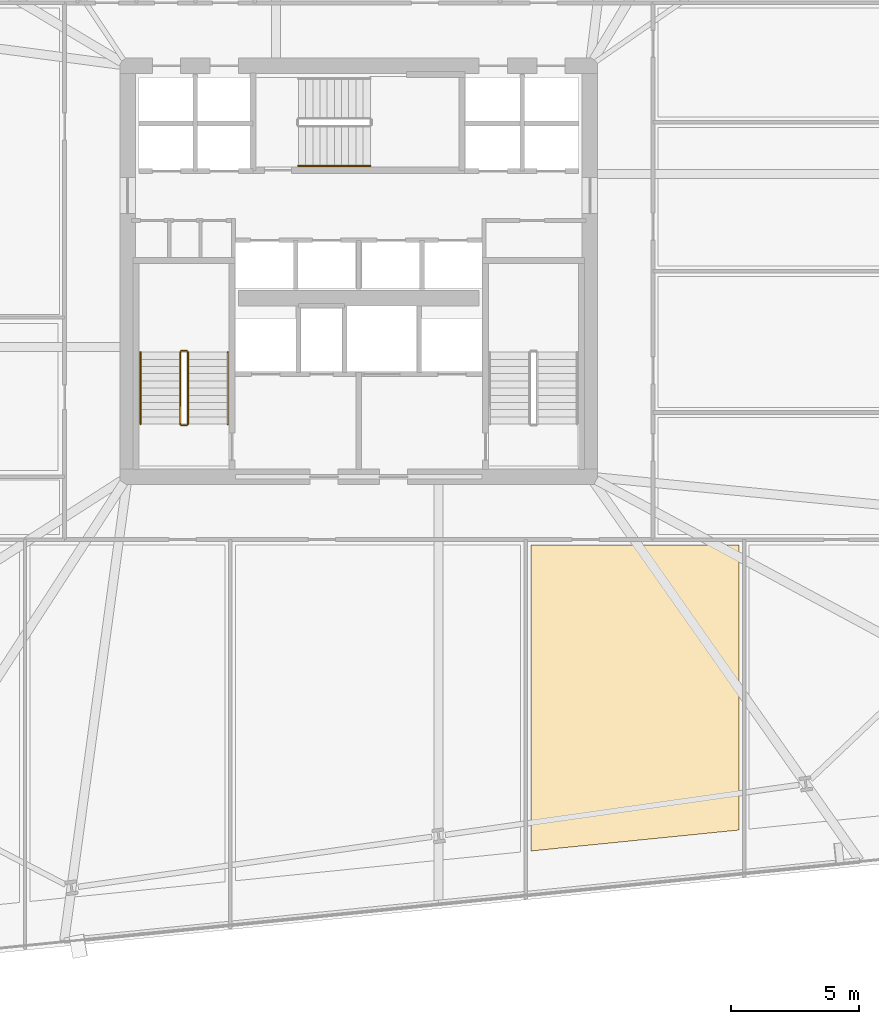
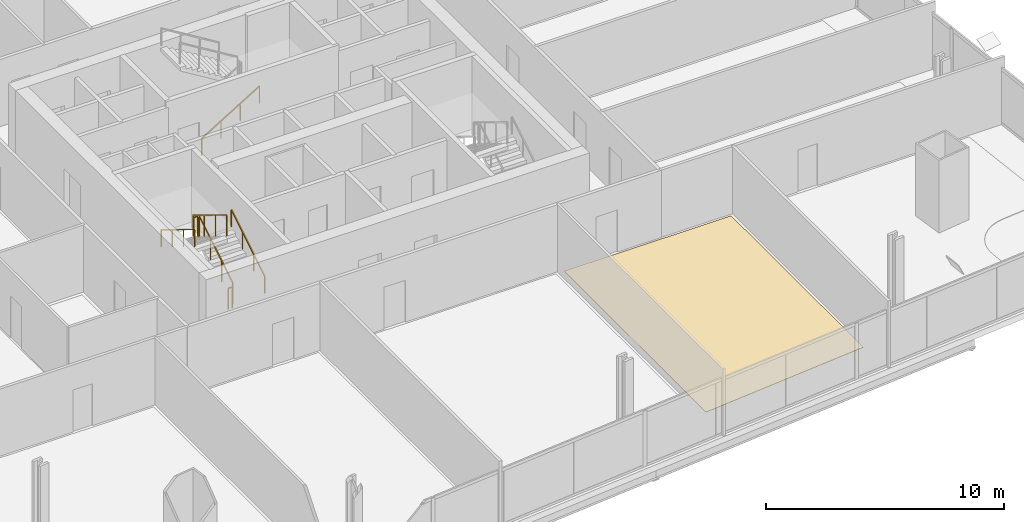
# One storey, part 30 of 33: 7 railings, 1 covering.
"""IFC4 building model written with IfcOpenShell, lengths in metres."""

from ifc_helpers import new_model, si_unit, direction, frame, origin, origin_2d, place, context, subcontext, project, spatial, polyline, rectangle, outline, extrude, material, layer, layer_set, type_object, element, save


model = new_model("IFC4")

# Units and contexts
model_context = context("Model", 3, precision=1e-05, world=origin(), true_north=direction((0.0, 1.0)))
body_context = subcontext(model_context, "Body", "Model", "MODEL_VIEW")
ifc_project = project(units=[si_unit("LENGTHUNIT", "METRE"), si_unit("AREAUNIT", "SQUARE_METRE"), si_unit("VOLUMEUNIT", "CUBIC_METRE"), si_unit("PLANEANGLEUNIT", "RADIAN"), si_unit("MASSUNIT", "GRAM", prefix="KILO")], contexts=[model_context])

# Site, building, storey
site_placement = place(None, origin())
site = spatial("IfcSite", under=ifc_project, at=site_placement, CompositionType="ELEMENT")
building_placement = place(site_placement, origin())
building = spatial("IfcBuilding", under=site, at=building_placement, Name="Haldenkirk Collegiate Tower", CompositionType="ELEMENT")
storey_placement = place(building_placement, frame((0.0, 0.0, 47.699951171875)))
storey = spatial("IfcBuildingStorey", under=building, at=storey_placement, Name="L10", CompositionType="ELEMENT", Elevation=47.699951171875)

# Covering
ifc_material_1 = material(Name="Engineered collegiate oak acoustic flooring", Category="wood")
ifc_layer = layer(ifc_material_1, 0.02197265625)
ifc_layer_set = layer_set([ifc_layer], Name="Engineered collegiate oak acoustic flooring")
covering_type = type_object("IfcCoveringType", Name="COV-FLOOR-TIMBER", PredefinedType="FLOORING", material=ifc_layer_set)
covering_placement = place(storey_placement, origin())
element("IfcCovering", 1, at=covering_placement, inside=storey, type_object=covering_type, Name="L10 academic room finish 05", PredefinedType="FLOORING", context=body_context, shape_type="SweptSolid", body=[
    extrude(outline(polyline([(42.699951171875, 3.427734375), (42.699951171875, 15.35009765625), (50.800048828125, 15.35009765625), (50.800048828125, 4.243408203125), (42.699951171875, 3.427734375)])), origin(), (0.0, 0.0, 1.0), 0.02197265625),
])

# Railings
ifc_material_2 = material(Name="Painted architectural tubular steel", Category="steel")
railing_type_1 = type_object("IfcRailingType", Name="RLG-STAIR-GUARD-1100", PredefinedType="BALUSTRADE", material=ifc_material_2)
railing_1_placement = place(storey_placement, frame((29.35009765625, 20.050048828125, 0.17041015625)))
element("IfcRailing", 2, at=railing_1_placement, inside=storey, type_object=railing_type_1, Name="L10 ST-1 stair guard 1", PredefinedType="BALUSTRADE", context=body_context, shape_type="SweptSolid", body=[
    extrude(rectangle(XDim=0.048095703125, YDim=0.048095703125, at=origin_2d()), frame((0.0, 0.0, 1.076171875), z_axis=(0.0, 0.854169791009, 0.51999420009), x_axis=(-1.0, 0.0, 0.0)), (0.0, 0.0, 1.0), 3.278076171875),
    extrude(rectangle(XDim=0.0419921875, YDim=0.0419921875, at=origin_2d()), origin(), (0.0, 0.0, 1.0), 1.052001953125),
    extrude(rectangle(XDim=0.0419921875, YDim=0.0419921875, at=origin_2d()), frame((0.0, 0.933349609375, 0.568115234375)), (0.0, 0.0, 1.0), 1.052001953125),
    extrude(rectangle(XDim=0.0419921875, YDim=0.0419921875, at=origin_2d()), frame((0.0, 1.86669921875, 1.136474609375)), (0.0, 0.0, 1.0), 1.052001953125),
    extrude(rectangle(XDim=0.0419921875, YDim=0.0419921875, at=origin_2d()), frame((0.0, 2.800048828125, 1.70458984375)), (0.0, 0.0, 1.0), 1.052001953125),
])
railing_2_placement = place(storey_placement, frame((29.300048828125, 22.89990234375, 1.875)))
element("IfcRailing", 3, at=railing_2_placement, inside=storey, type_object=railing_type_1, Name="L10 ST-1 stair guard 2", PredefinedType="BALUSTRADE", context=body_context, shape_type="SweptSolid", body=[
    extrude(rectangle(XDim=0.048095703125, YDim=0.048095703125, at=origin_2d()), frame((0.0, 0.0, 1.076171875), z_axis=(-1.0, 0.0, 0.0), x_axis=(0.0, -1.0, 0.0)), (0.0, 0.0, 1.0), 0.199951171875),
    extrude(rectangle(XDim=0.0419921875, YDim=0.0419921875, at=origin_2d()), origin(), (0.0, 0.0, 1.0), 1.052001953125),
    extrude(rectangle(XDim=0.0419921875, YDim=0.0419921875, at=origin_2d()), frame((-0.199951171875, 0.0, 0.0)), (0.0, 0.0, 1.0), 1.052001953125),
])
railing_3_placement = place(storey_placement, frame((29.050048828125, 22.85009765625, 2.04541015625)))
element("IfcRailing", 4, at=railing_3_placement, inside=storey, type_object=railing_type_1, Name="L10 ST-1 stair guard 3", PredefinedType="BALUSTRADE", context=body_context, shape_type="SweptSolid", body=[
    extrude(rectangle(XDim=0.048095703125, YDim=0.048095703125, at=origin_2d()), frame((0.0, 0.0, 1.076171875), z_axis=(0.0, -0.854169791009, 0.51999420009), x_axis=(1.0, 0.0, 0.0)), (0.0, 0.0, 1.0), 3.278076171875),
    extrude(rectangle(XDim=0.0419921875, YDim=0.0419921875, at=origin_2d()), origin(), (0.0, 0.0, 1.0), 1.052001953125),
    extrude(rectangle(XDim=0.0419921875, YDim=0.0419921875, at=origin_2d()), frame((0.0, -0.933349609375, 0.568115234375)), (0.0, 0.0, 1.0), 1.052001953125),
    extrude(rectangle(XDim=0.0419921875, YDim=0.0419921875, at=origin_2d()), frame((0.0, -1.86669921875, 1.136474609375)), (0.0, 0.0, 1.0), 1.052001953125),
    extrude(rectangle(XDim=0.0419921875, YDim=0.0419921875, at=origin_2d()), frame((0.0, -2.800048828125, 1.70458984375)), (0.0, 0.0, 1.0), 1.052001953125),
])
railing_4_placement = place(storey_placement, frame((29.300048828125, 20.0, 0.0)))
element("IfcRailing", 5, at=railing_4_placement, inside=storey, type_object=railing_type_1, Name="L10 ST-1 stair guard 4", PredefinedType="BALUSTRADE", context=body_context, shape_type="SweptSolid", body=[
    extrude(rectangle(XDim=0.048095703125, YDim=0.048095703125, at=origin_2d()), frame((0.0, 0.0, 1.076171875), z_axis=(-1.0, 0.0, 0.0), x_axis=(0.0, -1.0, 0.0)), (0.0, 0.0, 1.0), 0.199951171875),
    extrude(rectangle(XDim=0.0419921875, YDim=0.0419921875, at=origin_2d()), origin(), (0.0, 0.0, 1.0), 1.052001953125),
    extrude(rectangle(XDim=0.0419921875, YDim=0.0419921875, at=origin_2d()), frame((-0.199951171875, 0.0, 0.0)), (0.0, 0.0, 1.0), 1.052001953125),
])
railing_type_2 = type_object("IfcRailingType", Name="RLG-STAIR-HANDRAIL-900", PredefinedType="HANDRAIL", material=ifc_material_2)
railing_5_placement = place(storey_placement, frame((30.89990234375, 20.050048828125, 0.17041015625)))
element("IfcRailing", 6, at=railing_5_placement, inside=storey, type_object=railing_type_2, Name="L10 ST-1 stair handrail 1", PredefinedType="HANDRAIL", context=body_context, shape_type="SweptSolid", body=[
    extrude(rectangle(XDim=0.048095703125, YDim=0.048095703125, at=origin_2d()), frame((0.0, 0.0, 0.8759765625), z_axis=(0.0, 0.854169791009, 0.51999420009), x_axis=(-1.0, 0.0, 0.0)), (0.0, 0.0, 1.0), 3.278076171875),
    extrude(rectangle(XDim=0.0419921875, YDim=0.0419921875, at=origin_2d()), origin(), (0.0, 0.0, 1.0), 0.851806640625),
    extrude(rectangle(XDim=0.0419921875, YDim=0.0419921875, at=origin_2d()), frame((0.0, 0.933349609375, 0.568115234375)), (0.0, 0.0, 1.0), 0.851806640625),
    extrude(rectangle(XDim=0.0419921875, YDim=0.0419921875, at=origin_2d()), frame((0.0, 1.86669921875, 1.136474609375)), (0.0, 0.0, 1.0), 0.851806640625),
    extrude(rectangle(XDim=0.0419921875, YDim=0.0419921875, at=origin_2d()), frame((0.0, 2.800048828125, 1.70458984375)), (0.0, 0.0, 1.0), 0.851806640625),
])
railing_6_placement = place(storey_placement, frame((27.5, 22.85009765625, 2.04541015625)))
element("IfcRailing", 7, at=railing_6_placement, inside=storey, type_object=railing_type_2, Name="L10 ST-1 stair handrail 2", PredefinedType="HANDRAIL", context=body_context, shape_type="SweptSolid", body=[
    extrude(rectangle(XDim=0.048095703125, YDim=0.048095703125, at=origin_2d()), frame((0.0, 0.0, 0.8759765625), z_axis=(0.0, -0.854169791009, 0.51999420009), x_axis=(1.0, 0.0, 0.0)), (0.0, 0.0, 1.0), 3.278076171875),
    extrude(rectangle(XDim=0.0419921875, YDim=0.0419921875, at=origin_2d()), origin(), (0.0, 0.0, 1.0), 0.851806640625),
    extrude(rectangle(XDim=0.0419921875, YDim=0.0419921875, at=origin_2d()), frame((0.0, -0.933349609375, 0.568115234375)), (0.0, 0.0, 1.0), 0.851806640625),
    extrude(rectangle(XDim=0.0419921875, YDim=0.0419921875, at=origin_2d()), frame((0.0, -1.86669921875, 1.136474609375)), (0.0, 0.0, 1.0), 0.851806640625),
    extrude(rectangle(XDim=0.0419921875, YDim=0.0419921875, at=origin_2d()), frame((0.0, -2.800048828125, 1.70458984375)), (0.0, 0.0, 1.0), 0.851806640625),
])
railing_7_placement = place(storey_placement, frame((33.64990234375, 30.10009765625, 0.17041015625)))
element("IfcRailing", 8, at=railing_7_placement, inside=storey, type_object=railing_type_2, Name="L10 ST-3 stair handrail 1", PredefinedType="HANDRAIL", context=body_context, shape_type="SweptSolid", body=[
    extrude(rectangle(XDim=0.048095703125, YDim=0.048095703125, at=origin_2d()), frame((0.0, 0.0, 0.8759765625), z_axis=(0.854169791009, 0.0, 0.51999420009), x_axis=(0.0, 1.0, 0.0)), (0.0, 0.0, 1.0), 3.278076171875),
    extrude(rectangle(XDim=0.0419921875, YDim=0.0419921875, at=origin_2d()), origin(), (0.0, 0.0, 1.0), 0.851806640625),
    extrude(rectangle(XDim=0.0419921875, YDim=0.0419921875, at=origin_2d()), frame((0.933349609375, 0.0, 0.568115234375)), (0.0, 0.0, 1.0), 0.851806640625),
    extrude(rectangle(XDim=0.0419921875, YDim=0.0419921875, at=origin_2d()), frame((1.86669921875, 0.0, 1.136474609375)), (0.0, 0.0, 1.0), 0.851806640625),
    extrude(rectangle(XDim=0.0419921875, YDim=0.0419921875, at=origin_2d()), frame((2.800048828125, 0.0, 1.70458984375)), (0.0, 0.0, 1.0), 0.851806640625),
])

save(model, "model.ifc")
